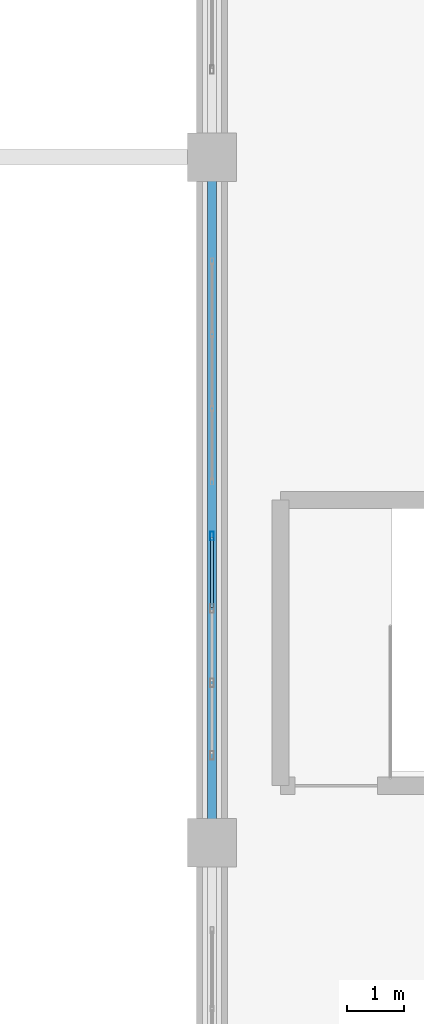
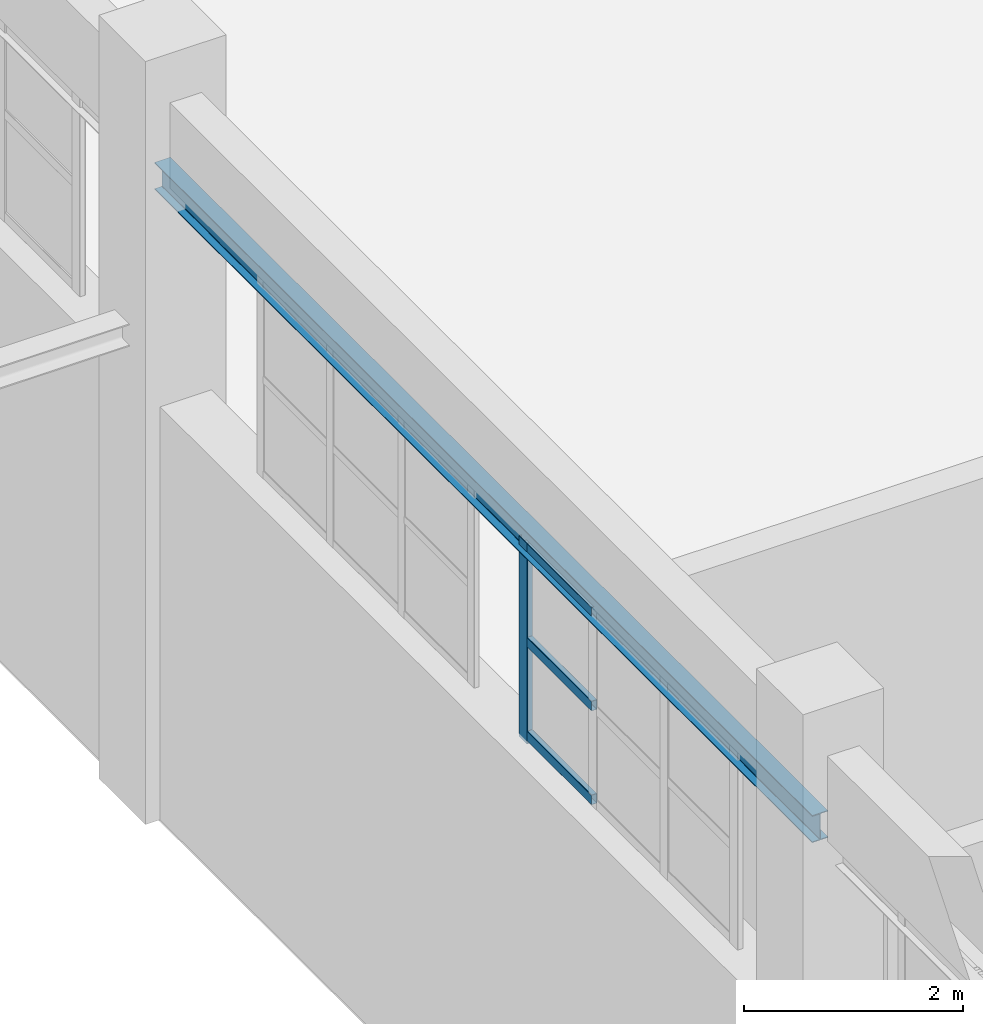
# One storey, part 39 of 97: 4 members, 1 beam, 1 element without a shape of its own.
"""IFC4 building model written with IfcOpenShell, lengths in metres."""

from ifc_helpers import new_model, si_unit, derived_unit, direction, frame, origin, origin_2d, place, context, subcontext, project, spatial, hollow_rectangle, i_section, extrude, material, layer, layer_set, material_profile, profile_set, type_object, element, aggregate, save


model = new_model("IFC4")

# Units and contexts
model_context = context("Model", 3, precision=1e-05, world=origin(), true_north=direction((0.0, 1.0)))
body_context = subcontext(model_context, "Body", "Model", "MODEL_VIEW")
ifc_project = project(units=[si_unit("LENGTHUNIT", "METRE"), si_unit("AREAUNIT", "SQUARE_METRE"), si_unit("VOLUMEUNIT", "CUBIC_METRE"), si_unit("PLANEANGLEUNIT", "RADIAN"), si_unit("MASSUNIT", "GRAM", prefix="KILO"), derived_unit("THERMALTRANSMITTANCEUNIT", [(si_unit("POWERUNIT", "WATT"), 1), (si_unit("LENGTHUNIT", "METRE"), -2), (si_unit("THERMODYNAMICTEMPERATUREUNIT", "KELVIN"), -1)])], contexts=[model_context])

# Site, building, storey
site_placement = place(None, origin())
site = spatial("IfcSite", under=ifc_project, at=site_placement, CompositionType="ELEMENT")
building_placement = place(site_placement, origin())
building = spatial("IfcBuilding", under=site, at=building_placement, Name="Almenara Railside Exhibition Hall", CompositionType="ELEMENT")
storey_placement = place(building_placement, frame((0.0, 0.0, 10.800048828125)))
storey = spatial("IfcBuildingStorey", under=building, at=storey_placement, Name="L02", CompositionType="ELEMENT", Elevation=10.800048828125)

# Curtain wall, members
ifc_material_1 = material(Name="Bronze-anodised aluminium and low-E double glazing", Category="aluminium")
ifc_layer = layer(ifc_material_1, 0.179931640625, Name="Bronze-anodised aluminium and low-E double glazing")
ifc_layer_set = layer_set([ifc_layer], Name="Bronze-anodised aluminium and low-E double glazing")
curtain_wall_type = type_object("IfcCurtainWallType", Name="West Hall Clerestory Curtain Wall 3900x2200", PredefinedType="NOTDEFINED", material=ifc_layer_set)
curtain_wall_placement = place(storey_placement, origin())
curtain_wall = element("IfcCurtainWall", 1, at=curtain_wall_placement, inside=storey, type_object=curtain_wall_type, Name="Curtain wall CW-CL2-013", PredefinedType="NOTDEFINED")
ifc_material_2 = material(Name="Bronze-anodised aluminium", Category="aluminium")
ifc_material_profile_1 = material_profile(ifc_material_2, hollow_rectangle(XDim=0.06005859375, YDim=0.14990234375, WallThickness=0.00341796875, InnerFilletRadius=0.00341796875, OuterFilletRadius=0.007080078125, at=origin_2d()), Name="ALU-MUL 60x150x3.5")
ifc_profile_set_1 = profile_set([ifc_material_profile_1], Name="Bronze-anodised aluminium")
member_type_1 = type_object("IfcMemberType", Name="Curtain Wall Mullion 60x150x3.5", PredefinedType="MULLION", material=ifc_profile_set_1)
member_1_placement = place(storey_placement, frame((12.0, 89.3701171875, 4.56494140625), z_axis=(0.0, 0.0, 1.0), x_axis=(-1.0, 0.0, 0.0)))
member_1 = element("IfcMember", 2, at=member_1_placement, type_object=member_type_1, Name="CW-CL2-013 mullion 4", PredefinedType="MULLION", context=body_context, shape_type="SweptSolid", body=[
    extrude(hollow_rectangle(XDim=0.06005859375, YDim=0.14990234375, WallThickness=0.00341796875, InnerFilletRadius=0.00341796875, OuterFilletRadius=0.007080078125, at=origin_2d()), origin(), (0.0, 0.0, 1.0), 2.235107421875),
])
ifc_material_profile_2 = material_profile(ifc_material_2, hollow_rectangle(XDim=0.06005859375, YDim=0.110107421875, WallThickness=0.0029296875, InnerFilletRadius=0.0029296875, OuterFilletRadius=0.006103515625, at=origin_2d()), Name="ALU-TRN 60x110x3")
ifc_profile_set_2 = profile_set([ifc_material_profile_2], Name="Bronze-anodised aluminium")
member_type_2 = type_object("IfcMemberType", Name="Curtain Wall Transom 60x110x3", PredefinedType="USERDEFINED", material=ifc_profile_set_2)
member_2_placement = place(storey_placement, frame((12.0, 88.1220703125, 4.655029296875), z_axis=(0.0, 1.0, 0.0), x_axis=(-1.0, 0.0, 0.0)))
member_2 = element("IfcMember", 3, at=member_2_placement, type_object=member_type_2, Name="CW-CL2-013 transom 3.1", ObjectType="TRANSOM", PredefinedType="USERDEFINED", context=body_context, shape_type="SweptSolid", body=[
    extrude(hollow_rectangle(XDim=0.06005859375, YDim=0.110107421875, WallThickness=0.0029296875, InnerFilletRadius=0.0029296875, OuterFilletRadius=0.006103515625, at=origin_2d()), origin(), (0.0, 0.0, 1.0), 1.225830078125),
])
member_3_placement = place(storey_placement, frame((12.0, 88.1220703125, 5.699951171875), z_axis=(0.0, 1.0, 0.0), x_axis=(-1.0, 0.0, 0.0)))
member_3 = element("IfcMember", 4, at=member_3_placement, type_object=member_type_2, Name="CW-CL2-013 transom 3.2", ObjectType="TRANSOM", PredefinedType="USERDEFINED", context=body_context, shape_type="SweptSolid", body=[
    extrude(hollow_rectangle(XDim=0.06005859375, YDim=0.110107421875, WallThickness=0.0029296875, InnerFilletRadius=0.0029296875, OuterFilletRadius=0.006103515625, at=origin_2d()), origin(), (0.0, 0.0, 1.0), 1.225830078125),
])
member_4_placement = place(storey_placement, frame((12.0, 88.1220703125, 6.744873046875), z_axis=(0.0, 1.0, 0.0), x_axis=(-1.0, 0.0, 0.0)))
member_4 = element("IfcMember", 5, at=member_4_placement, type_object=member_type_2, Name="CW-CL2-013 transom 3.3", ObjectType="TRANSOM", PredefinedType="USERDEFINED", context=body_context, shape_type="SweptSolid", body=[
    extrude(hollow_rectangle(XDim=0.06005859375, YDim=0.110107421875, WallThickness=0.0029296875, InnerFilletRadius=0.0029296875, OuterFilletRadius=0.006103515625, at=origin_2d()), origin(), (0.0, 0.0, 1.0), 1.225830078125),
])
aggregate(curtain_wall, [member_1, member_2, member_3, member_4])

# Beam
ifc_material_3 = material(Name="Structural steel S355JR", Category="steel")
ifc_material_profile_3 = material_profile(ifc_material_3, i_section(OverallWidth=0.1650390625, OverallDepth=0.303466796875, WebThickness=0.006103515625, FlangeThickness=0.01025390625, FilletRadius=0.0087890625, at=origin_2d()), Name="UB 305x165x40")
ifc_profile_set_3 = profile_set([ifc_material_profile_3], Name="Structural steel S355JR")
beam_type = type_object("IfcBeamType", Name="Steel Canopy Edge Spandrel UB 305x165x40 S355JR", PredefinedType="SPANDREL", material=ifc_profile_set_3)
beam_placement = place(storey_placement, frame((12.0, 84.0, 6.84814453125), z_axis=(0.0, 1.0, 0.0), x_axis=(-1.0, 0.0, 0.0)))
element("IfcBeam", 6, at=beam_placement, inside=storey, type_object=beam_type, Name="BM-CRNLNT-V1-12-84", PredefinedType="SPANDREL", context=body_context, shape_type="SweptSolid", body=[
    extrude(i_section(OverallWidth=0.1650390625, OverallDepth=0.303466796875, WebThickness=0.006103515625, FlangeThickness=0.01025390625, FilletRadius=0.0087890625, at=origin_2d()), origin(), (0.0, 0.0, 1.0), 12.0),
])

save(model, "model.ifc")
